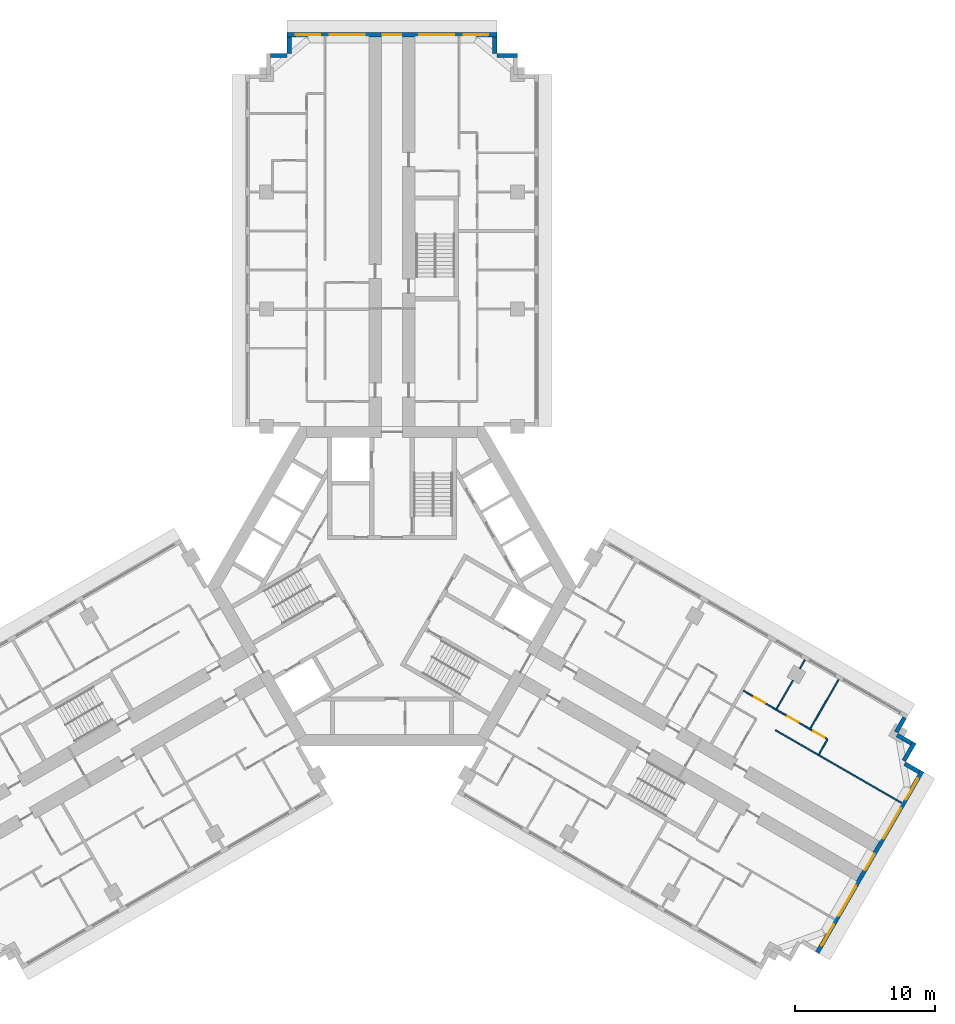
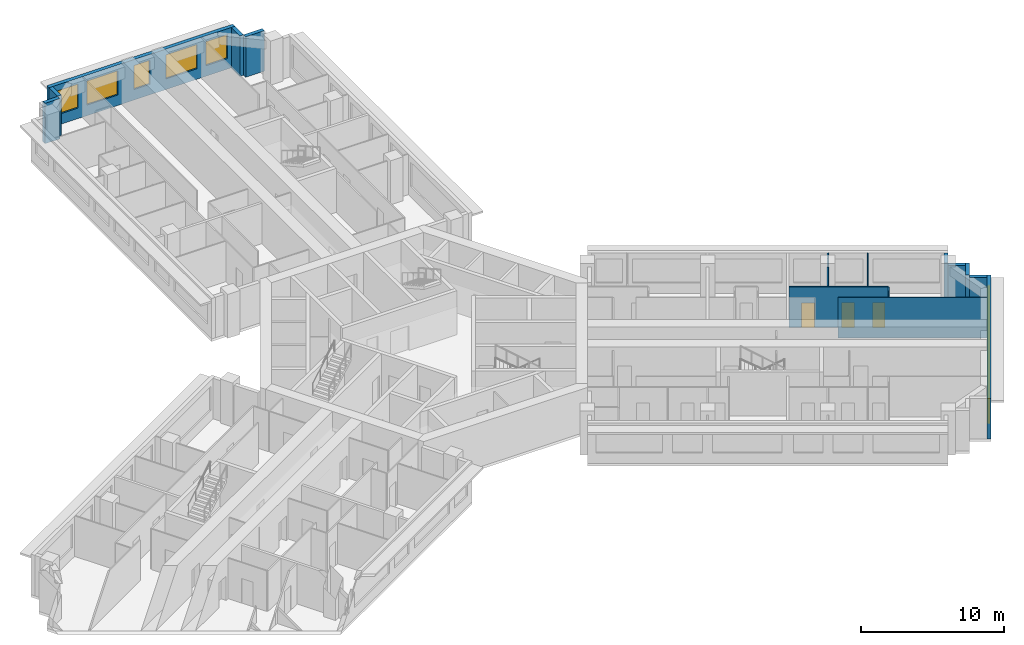
# One storey, part 10 of 12: 16 walls, 10 windows, 3 doors, 13 openings.
"""IFC4 building model written with IfcOpenShell, lengths in metres."""

from ifc_helpers import new_model, si_unit, direction, frame, frame_2d, origin, place, context, subcontext, project, spatial, rectangle, extrude, material, layer, layer_set, type_object, element, fill, save


model = new_model("IFC4")

# Units and contexts
model_context = context("Model", 3, precision=1e-05, world=origin(), true_north=direction((0.0, 1.0)))
body_context = subcontext(model_context, "Body", "Model", "MODEL_VIEW")
ifc_project = project(units=[si_unit("LENGTHUNIT", "METRE"), si_unit("AREAUNIT", "SQUARE_METRE"), si_unit("VOLUMEUNIT", "CUBIC_METRE"), si_unit("PLANEANGLEUNIT", "RADIAN"), si_unit("MASSUNIT", "GRAM", prefix="KILO")], contexts=[model_context])

# Site, building, storey
site_placement = place(None, origin())
site = spatial("IfcSite", under=ifc_project, at=site_placement, CompositionType="ELEMENT")
building_placement = place(site_placement, origin())
building = spatial("IfcBuilding", under=site, at=building_placement, Name="Impinga Residences", CompositionType="ELEMENT")
storey_placement = place(building_placement, frame((0.0, 0.0, 177.25)))
storey = spatial("IfcBuildingStorey", under=building, at=storey_placement, Name="L44", CompositionType="ELEMENT", Elevation=177.25)

# Walls
ifc_material_1 = material(Name="Terracotta rainscreen on blockwork", Category="masonry")
ifc_layer_1 = layer(ifc_material_1, 0.300048828125)
ifc_layer_set_1 = layer_set([ifc_layer_1], Name="EW1 external wall, terracotta rainscreen on blockwork 300")
wall_type_1 = type_object("IfcWallType", Name="EW1 external wall, terracotta rainscreen on blockwork 300", PredefinedType="SOLIDWALL", material=ifc_layer_set_1)
wall_1_placement = place(storey_placement, frame((-8.699951171875, 37.9814453125, 0.0), z_axis=(0.0, 0.0, 1.0), x_axis=(1.0, 0.0, 0.0)))
element("IfcWall", 1, at=wall_1_placement, inside=storey, type_object=wall_type_1, Name="External wall EW1 L44", PredefinedType="SOLIDWALL", context=body_context, shape_type="SweptSolid", body=[
    extrude(rectangle(XDim=1.199951171875, YDim=0.300048828125, at=frame_2d((0.60009765625, 0.0))), origin(), (0.0, 0.0, 1.0), 3.449951171875),
])
wall_2_placement = place(storey_placement, frame((-7.35009765625, 38.136474609375, 0.0), z_axis=(0.0, 0.0, 1.0), x_axis=(0.0, 1.0, 0.0)))
element("IfcWall", 2, at=wall_2_placement, inside=storey, type_object=wall_type_1, Name="External wall EW1 L44", PredefinedType="SOLIDWALL", context=body_context, shape_type="SweptSolid", body=[
    extrude(rectangle(XDim=1.195068359375, YDim=0.300048828125, at=frame_2d((0.59765625, 0.0))), origin(), (0.0, 0.0, 1.0), 3.449951171875),
])

# Wall, openings, windows
wall_3_placement = place(storey_placement, frame((-7.5, 39.4814453125, 0.0), z_axis=(0.0, 0.0, 1.0), x_axis=(1.0, 0.0, 0.0)))
wall_3 = element("IfcWall", 3, at=wall_3_placement, inside=storey, type_object=wall_type_1, Name="External wall EW1 L44", PredefinedType="SOLIDWALL", context=body_context, shape_type="SweptSolid", body=[
    extrude(rectangle(XDim=15.0, YDim=0.300048828125, at=frame_2d((7.5, 0.0))), origin(), (0.0, 0.0, 1.0), 3.449951171875),
])
opening_1_placement = place(wall_3_placement, frame((0.60009765625, 0.0, 0.89990234375)))
opening_1 = element("IfcOpeningElement", 4, at=opening_1_placement, cuts=wall_3, Name="Opening W1", PredefinedType="OPENING", context=body_context, shape_type="SweptSolid", body=[
    extrude(rectangle(XDim=1.75, YDim=2.050048828125, at=frame_2d((0.875, 1.02490234375))), frame((0.0, 0.159912109375, 0.0), z_axis=(0.0, -1.0, 0.0), x_axis=(1.0, 0.0, 0.0)), (0.0, 0.0, 1.0), 0.320068359375),
])
opening_2_placement = place(wall_3_placement, frame((3.050048828125, 0.0, 0.89990234375)))
opening_2 = element("IfcOpeningElement", 5, at=opening_2_placement, cuts=wall_3, Name="Opening W2", PredefinedType="OPENING", context=body_context, shape_type="SweptSolid", body=[
    extrude(rectangle(XDim=2.5, YDim=2.050048828125, at=frame_2d((1.25, 1.02490234375))), frame((0.0, 0.159912109375, 0.0), z_axis=(0.0, -1.0, 0.0), x_axis=(1.0, 0.0, 0.0)), (0.0, 0.0, 1.0), 0.320068359375),
])
opening_3_placement = place(wall_3_placement, frame((6.85009765625, 0.0, 0.89990234375)))
opening_3 = element("IfcOpeningElement", 6, at=opening_3_placement, cuts=wall_3, Name="Opening WE1", PredefinedType="OPENING", context=body_context, shape_type="SweptSolid", body=[
    extrude(rectangle(XDim=1.300048828125, YDim=2.050048828125, at=frame_2d((0.64990234375, 1.02490234375))), frame((0.0, 0.159912109375, 0.0), z_axis=(0.0, -1.0, 0.0), x_axis=(1.0, 0.0, 0.0)), (0.0, 0.0, 1.0), 0.320068359375),
])
opening_4_placement = place(wall_3_placement, frame((9.449951171875, 0.0, 0.89990234375)))
opening_4 = element("IfcOpeningElement", 7, at=opening_4_placement, cuts=wall_3, Name="Opening W2", PredefinedType="OPENING", context=body_context, shape_type="SweptSolid", body=[
    extrude(rectangle(XDim=2.5, YDim=2.050048828125, at=frame_2d((1.25, 1.02490234375))), frame((0.0, 0.159912109375, 0.0), z_axis=(0.0, -1.0, 0.0), x_axis=(1.0, 0.0, 0.0)), (0.0, 0.0, 1.0), 0.320068359375),
])
opening_5_placement = place(wall_3_placement, frame((12.64990234375, 0.0, 0.89990234375)))
opening_5 = element("IfcOpeningElement", 8, at=opening_5_placement, cuts=wall_3, Name="Opening W1", PredefinedType="OPENING", context=body_context, shape_type="SweptSolid", body=[
    extrude(rectangle(XDim=1.75, YDim=2.050048828125, at=frame_2d((0.875, 1.02490234375))), frame((0.0, 0.159912109375, 0.0), z_axis=(0.0, -1.0, 0.0), x_axis=(1.0, 0.0, 0.0)), (0.0, 0.0, 1.0), 0.320068359375),
])
ifc_material_2 = material(Name="Aluminium window, clear double glazing", Category="aluminium")
window_type_1 = type_object("IfcWindowType", Name="W1 ribbon window 1750x2050", PartitioningType="SINGLE_PANEL", PredefinedType="WINDOW", material=ifc_material_2)
window_1_placement = place(opening_1_placement, origin())
window_1 = element("IfcWindow", 9, at=window_1_placement, inside=storey, type_object=window_type_1, Name="Window L44", OverallHeight=2.050048828125, OverallWidth=1.75, PartitioningType="SINGLE_PANEL", PredefinedType="WINDOW", context=body_context, shape_type="SweptSolid", body=[
    extrude(rectangle(XDim=1.75, YDim=2.050048828125, at=frame_2d((0.875, 1.02490234375))), frame((0.0, 0.030029296875, 0.0), z_axis=(0.0, -1.0, 0.0), x_axis=(1.0, 0.0, 0.0)), (0.0, 0.0, 1.0), 0.06005859375),
])
fill(opening_1, window_1)
window_2_placement = place(opening_5_placement, origin())
window_2 = element("IfcWindow", 10, at=window_2_placement, inside=storey, type_object=window_type_1, Name="Window L44", OverallHeight=2.050048828125, OverallWidth=1.75, PartitioningType="SINGLE_PANEL", PredefinedType="WINDOW", context=body_context, shape_type="SweptSolid", body=[
    extrude(rectangle(XDim=1.75, YDim=2.050048828125, at=frame_2d((0.875, 1.02490234375))), frame((0.0, 0.030029296875, 0.0), z_axis=(0.0, -1.0, 0.0), x_axis=(1.0, 0.0, 0.0)), (0.0, 0.0, 1.0), 0.06005859375),
])
fill(opening_5, window_2)
window_type_2 = type_object("IfcWindowType", Name="W2 ribbon window 2500x2050", PartitioningType="SINGLE_PANEL", PredefinedType="WINDOW", material=ifc_material_2)
window_3_placement = place(opening_2_placement, origin())
window_3 = element("IfcWindow", 11, at=window_3_placement, inside=storey, type_object=window_type_2, Name="Window L44", OverallHeight=2.050048828125, OverallWidth=2.5, PartitioningType="SINGLE_PANEL", PredefinedType="WINDOW", context=body_context, shape_type="SweptSolid", body=[
    extrude(rectangle(XDim=2.5, YDim=2.050048828125, at=frame_2d((1.25, 1.02490234375))), frame((0.0, 0.030029296875, 0.0), z_axis=(0.0, -1.0, 0.0), x_axis=(1.0, 0.0, 0.0)), (0.0, 0.0, 1.0), 0.06005859375),
])
fill(opening_2, window_3)
window_4_placement = place(opening_4_placement, origin())
window_4 = element("IfcWindow", 12, at=window_4_placement, inside=storey, type_object=window_type_2, Name="Window L44", OverallHeight=2.050048828125, OverallWidth=2.5, PartitioningType="SINGLE_PANEL", PredefinedType="WINDOW", context=body_context, shape_type="SweptSolid", body=[
    extrude(rectangle(XDim=2.5, YDim=2.050048828125, at=frame_2d((1.25, 1.02490234375))), frame((0.0, 0.030029296875, 0.0), z_axis=(0.0, -1.0, 0.0), x_axis=(1.0, 0.0, 0.0)), (0.0, 0.0, 1.0), 0.06005859375),
])
fill(opening_4, window_4)
window_type_3 = type_object("IfcWindowType", Name="WE1 corridor window 1300x2050", PartitioningType="SINGLE_PANEL", PredefinedType="WINDOW", material=ifc_material_2)
window_5_placement = place(opening_3_placement, origin())
window_5 = element("IfcWindow", 13, at=window_5_placement, inside=storey, type_object=window_type_3, Name="Window L44", OverallHeight=2.050048828125, OverallWidth=1.300048828125, PartitioningType="SINGLE_PANEL", PredefinedType="WINDOW", context=body_context, shape_type="SweptSolid", body=[
    extrude(rectangle(XDim=1.300048828125, YDim=2.050048828125, at=frame_2d((0.64990234375, 1.02490234375))), frame((0.0, 0.030029296875, 0.0), z_axis=(0.0, -1.0, 0.0), x_axis=(1.0, 0.0, 0.0)), (0.0, 0.0, 1.0), 0.06005859375),
])
fill(opening_3, window_5)

# Walls
wall_4_placement = place(storey_placement, frame((7.35009765625, 39.33154296875, 0.0), z_axis=(0.0, 0.0, 1.0), x_axis=(0.0, -1.0, 0.0)))
element("IfcWall", 14, at=wall_4_placement, inside=storey, type_object=wall_type_1, Name="External wall EW1 L44", PredefinedType="SOLIDWALL", context=body_context, shape_type="SweptSolid", body=[
    extrude(rectangle(XDim=1.195068359375, YDim=0.300048828125, at=frame_2d((0.59765625, 0.0))), origin(), (0.0, 0.0, 1.0), 3.449951171875),
])
wall_5_placement = place(storey_placement, frame((7.5, 37.9814453125, 0.0), z_axis=(0.0, 0.0, 1.0), x_axis=(1.0, 0.0, 0.0)))
element("IfcWall", 15, at=wall_5_placement, inside=storey, type_object=wall_type_1, Name="External wall EW1 L44", PredefinedType="SOLIDWALL", context=body_context, shape_type="SweptSolid", body=[
    extrude(rectangle(XDim=1.5, YDim=0.300048828125, at=frame_2d((0.75, 0.0))), origin(), (0.0, 0.0, 1.0), 3.449951171875),
])
wall_6_placement = place(storey_placement, frame((36.69384765625, -9.4072265625, 0.0), z_axis=(0.0, 0.0, 1.0), x_axis=(-0.499880961361, -0.866094119867, 0.0)))
element("IfcWall", 16, at=wall_6_placement, inside=storey, type_object=wall_type_1, Name="External wall EW1 L44", PredefinedType="SOLIDWALL", context=body_context, shape_type="SweptSolid", body=[
    extrude(rectangle(XDim=1.199951171875, YDim=0.300048828125, at=frame_2d((0.60009765625, 0.0))), origin(), (0.0, 0.0, 1.0), 3.449951171875),
])
wall_7_placement = place(storey_placement, frame((36.153076171875, -10.654052734375, 0.0), z_axis=(0.0, 0.0, 1.0), x_axis=(0.866059708757, -0.499940577336, 0.0)))
element("IfcWall", 17, at=wall_7_placement, inside=storey, type_object=wall_type_1, Name="External wall EW1 L44", PredefinedType="SOLIDWALL", context=body_context, shape_type="SweptSolid", body=[
    extrude(rectangle(XDim=1.195068359375, YDim=0.300048828125, at=frame_2d((0.59765625, 0.0))), origin(), (0.0, 0.0, 1.0), 3.449951171875),
])
wall_8_placement = place(storey_placement, frame((37.39306640625, -11.196533203125, 0.0), z_axis=(0.0, 0.0, 1.0), x_axis=(-0.499990139034, -0.866031096941, 0.0)))
element("IfcWall", 18, at=wall_8_placement, inside=storey, type_object=wall_type_1, Name="External wall EW1 L44", PredefinedType="SOLIDWALL", context=body_context, shape_type="SweptSolid", body=[
    extrude(rectangle(XDim=1.5, YDim=0.300048828125, at=frame_2d((0.75, 0.0))), origin(), (0.0, 0.0, 1.0), 3.449951171875),
])
wall_9_placement = place(storey_placement, frame((36.7021484375, -12.702880859375, 0.0), z_axis=(0.0, 0.0, 1.0), x_axis=(0.865971243484, -0.500093796661, 0.0)))
element("IfcWall", 19, at=wall_9_placement, inside=storey, type_object=wall_type_1, Name="External wall EW1 L44", PredefinedType="SOLIDWALL", context=body_context, shape_type="SweptSolid", body=[
    extrude(rectangle(XDim=1.195068359375, YDim=0.300048828125, at=frame_2d((0.59765625, 0.0))), origin(), (0.0, 0.0, 1.0), 3.449951171875),
])

# Wall, openings, windows
wall_10_placement = place(storey_placement, frame((37.94189453125, -13.24560546875, 0.0), z_axis=(0.0, 0.0, 1.0), x_axis=(-0.500004234368, -0.866022959057, 0.0)))
wall_10 = element("IfcWall", 20, at=wall_10_placement, inside=storey, type_object=wall_type_1, Name="External wall EW1 L44", PredefinedType="SOLIDWALL", context=body_context, shape_type="SweptSolid", body=[
    extrude(rectangle(XDim=14.999755859375, YDim=0.300048828125, at=frame_2d((7.5, 0.0))), origin(), (0.0, 0.0, 1.0), 3.449951171875),
])
opening_6_placement = place(wall_10_placement, frame((0.60009765625, 0.0, 0.89990234375)))
opening_6 = element("IfcOpeningElement", 21, at=opening_6_placement, cuts=wall_10, Name="Opening W1", PredefinedType="OPENING", context=body_context, shape_type="SweptSolid", body=[
    extrude(rectangle(XDim=1.75, YDim=2.050048828125, at=frame_2d((0.875, 1.02490234375))), frame((0.0, 0.159912109375, 0.0), z_axis=(0.0, -1.0, 0.0), x_axis=(1.0, 0.0, 0.0)), (0.0, 0.0, 1.0), 0.320068359375),
])
opening_7_placement = place(wall_10_placement, frame((3.050048828125, 0.0, 0.89990234375)))
opening_7 = element("IfcOpeningElement", 22, at=opening_7_placement, cuts=wall_10, Name="Opening W2", PredefinedType="OPENING", context=body_context, shape_type="SweptSolid", body=[
    extrude(rectangle(XDim=2.5, YDim=2.050048828125, at=frame_2d((1.25, 1.02490234375))), frame((0.0, 0.159912109375, 0.0), z_axis=(0.0, -1.0, 0.0), x_axis=(1.0, 0.0, 0.0)), (0.0, 0.0, 1.0), 0.320068359375),
])
opening_8_placement = place(wall_10_placement, frame((6.85009765625, 0.0, 0.89990234375)))
opening_8 = element("IfcOpeningElement", 23, at=opening_8_placement, cuts=wall_10, Name="Opening W17", PredefinedType="OPENING", context=body_context, shape_type="SweptSolid", body=[
    extrude(rectangle(XDim=1.300048828125, YDim=2.050048828125, at=frame_2d((0.64990234375, 1.02490234375))), frame((0.0, 0.159912109375, 0.0), z_axis=(0.0, -1.0, 0.0), x_axis=(1.0, 0.0, 0.0)), (0.0, 0.0, 1.0), 0.320068359375),
])
opening_9_placement = place(wall_10_placement, frame((9.449951171875, 0.0, 0.89990234375)))
opening_9 = element("IfcOpeningElement", 24, at=opening_9_placement, cuts=wall_10, Name="Opening W2", PredefinedType="OPENING", context=body_context, shape_type="SweptSolid", body=[
    extrude(rectangle(XDim=2.5, YDim=2.050048828125, at=frame_2d((1.25, 1.02490234375))), frame((0.0, 0.159912109375, 0.0), z_axis=(0.0, -1.0, 0.0), x_axis=(1.0, 0.0, 0.0)), (0.0, 0.0, 1.0), 0.320068359375),
])
opening_10_placement = place(wall_10_placement, frame((12.64990234375, 0.0, 0.89990234375)))
opening_10 = element("IfcOpeningElement", 25, at=opening_10_placement, cuts=wall_10, Name="Opening W1", PredefinedType="OPENING", context=body_context, shape_type="SweptSolid", body=[
    extrude(rectangle(XDim=1.75, YDim=2.050048828125, at=frame_2d((0.875, 1.02490234375))), frame((0.0, 0.159912109375, 0.0), z_axis=(0.0, -1.0, 0.0), x_axis=(1.0, 0.0, 0.0)), (0.0, 0.0, 1.0), 0.320068359375),
])
window_6_placement = place(opening_6_placement, origin())
window_6 = element("IfcWindow", 26, at=window_6_placement, inside=storey, type_object=window_type_1, Name="Window L44", OverallHeight=2.050048828125, OverallWidth=1.75, PartitioningType="SINGLE_PANEL", PredefinedType="WINDOW", context=body_context, shape_type="SweptSolid", body=[
    extrude(rectangle(XDim=1.75, YDim=2.050048828125, at=frame_2d((0.875, 1.02490234375))), frame((0.0, 0.030029296875, 0.0), z_axis=(0.0, -1.0, 0.0), x_axis=(1.0, 0.0, 0.0)), (0.0, 0.0, 1.0), 0.06005859375),
])
fill(opening_6, window_6)
window_7_placement = place(opening_10_placement, origin())
window_7 = element("IfcWindow", 27, at=window_7_placement, inside=storey, type_object=window_type_1, Name="Window L44", OverallHeight=2.050048828125, OverallWidth=1.75, PartitioningType="SINGLE_PANEL", PredefinedType="WINDOW", context=body_context, shape_type="SweptSolid", body=[
    extrude(rectangle(XDim=1.75, YDim=2.050048828125, at=frame_2d((0.875, 1.02490234375))), frame((0.0, 0.030029296875, 0.0), z_axis=(0.0, -1.0, 0.0), x_axis=(1.0, 0.0, 0.0)), (0.0, 0.0, 1.0), 0.06005859375),
])
fill(opening_10, window_7)
window_type_4 = type_object("IfcWindowType", Name="W17 ribbon window 1300x2050", PartitioningType="SINGLE_PANEL", PredefinedType="WINDOW", material=ifc_material_2)
window_8_placement = place(opening_8_placement, origin())
window_8 = element("IfcWindow", 28, at=window_8_placement, inside=storey, type_object=window_type_4, Name="Window L44", OverallHeight=2.050048828125, OverallWidth=1.300048828125, PartitioningType="SINGLE_PANEL", PredefinedType="WINDOW", context=body_context, shape_type="SweptSolid", body=[
    extrude(rectangle(XDim=1.300048828125, YDim=2.050048828125, at=frame_2d((0.64990234375, 1.02490234375))), frame((0.0, 0.030029296875, 0.0), z_axis=(0.0, -1.0, 0.0), x_axis=(1.0, 0.0, 0.0)), (0.0, 0.0, 1.0), 0.06005859375),
])
fill(opening_8, window_8)
window_9_placement = place(opening_7_placement, origin())
window_9 = element("IfcWindow", 29, at=window_9_placement, inside=storey, type_object=window_type_2, Name="Window L44", OverallHeight=2.050048828125, OverallWidth=2.5, PartitioningType="SINGLE_PANEL", PredefinedType="WINDOW", context=body_context, shape_type="SweptSolid", body=[
    extrude(rectangle(XDim=2.5, YDim=2.050048828125, at=frame_2d((1.25, 1.02490234375))), frame((0.0, 0.030029296875, 0.0), z_axis=(0.0, -1.0, 0.0), x_axis=(1.0, 0.0, 0.0)), (0.0, 0.0, 1.0), 0.06005859375),
])
fill(opening_7, window_9)
window_10_placement = place(opening_9_placement, origin())
window_10 = element("IfcWindow", 30, at=window_10_placement, inside=storey, type_object=window_type_2, Name="Window L44", OverallHeight=2.050048828125, OverallWidth=2.5, PartitioningType="SINGLE_PANEL", PredefinedType="WINDOW", context=body_context, shape_type="SweptSolid", body=[
    extrude(rectangle(XDim=2.5, YDim=2.050048828125, at=frame_2d((1.25, 1.02490234375))), frame((0.0, 0.030029296875, 0.0), z_axis=(0.0, -1.0, 0.0), x_axis=(1.0, 0.0, 0.0)), (0.0, 0.0, 1.0), 0.06005859375),
])
fill(opening_9, window_10)

# Wall
ifc_material_3 = material(Name="Gypsum board on steel studs", Category="steel")
ifc_layer_2 = layer(ifc_material_3, 0.10009765625)
ifc_layer_set_2 = layer_set([ifc_layer_2], Name="Gypsum board on steel studs")
wall_type_2 = type_object("IfcWallType", Name="IP1 partition 100", PredefinedType="PARTITIONING", material=ifc_layer_set_2)
wall_11_placement = place(storey_placement, frame((27.45556640625, -10.308837890625, 0.0), z_axis=(0.0, 0.0, 1.0), x_axis=(0.866025696342, -0.499999493275, 0.0)))
element("IfcWall", 31, at=wall_11_placement, inside=storey, type_object=wall_type_2, Name="Partition L44-EA3:DIV1", PredefinedType="PARTITIONING", context=body_context, shape_type="SweptSolid", body=[
    extrude(rectangle(XDim=10.39990234375, YDim=0.10009765625, at=frame_2d((5.199951171875, 0.0))), origin(), (0.0, 0.0, 1.0), 3.449951171875),
])

# Wall, openings, doors
wall_12_placement = place(storey_placement, frame((25.160888671875, -7.48291015625, 0.0), z_axis=(0.0, 0.0, 1.0), x_axis=(0.866025305473, -0.500000170281, 0.0)))
wall_12 = element("IfcWall", 32, at=wall_12_placement, inside=storey, type_object=wall_type_2, Name="Partition L44-EA3:STRIP", PredefinedType="PARTITIONING", context=body_context, shape_type="SweptSolid", body=[
    extrude(rectangle(XDim=6.9501953125, YDim=0.10009765625, at=frame_2d((3.47509765625, 0.0))), origin(), (0.0, 0.0, 1.0), 3.449951171875),
])
opening_11_placement = place(wall_12_placement, frame((0.875, 0.0, 0.0)))
opening_11 = element("IfcOpeningElement", 33, at=opening_11_placement, cuts=wall_12, Name="Opening D2", PredefinedType="OPENING", context=body_context, shape_type="SweptSolid", body=[
    extrude(rectangle(XDim=0.89990234375, YDim=2.10009765625, at=frame_2d((0.449951171875, 1.050048828125))), frame((0.0, 0.06005859375, 0.0), z_axis=(0.0, -1.0, 0.0), x_axis=(1.0, 0.0, 0.0)), (0.0, 0.0, 1.0), 0.1201171875),
])
opening_12_placement = place(wall_12_placement, frame((3.64990234375, 0.0, 0.0)))
opening_12 = element("IfcOpeningElement", 34, at=opening_12_placement, cuts=wall_12, Name="Opening D2", PredefinedType="OPENING", context=body_context, shape_type="SweptSolid", body=[
    extrude(rectangle(XDim=0.89990234375, YDim=2.10009765625, at=frame_2d((0.449951171875, 1.050048828125))), frame((0.0, 0.06005859375, 0.0), z_axis=(0.0, -1.0, 0.0), x_axis=(1.0, 0.0, 0.0)), (0.0, 0.0, 1.0), 0.1201171875),
])
opening_13_placement = place(wall_12_placement, frame((5.800048828125, 0.0, 0.0)))
opening_13 = element("IfcOpeningElement", 35, at=opening_13_placement, cuts=wall_12, Name="Opening D2", PredefinedType="OPENING", context=body_context, shape_type="SweptSolid", body=[
    extrude(rectangle(XDim=0.89990234375, YDim=2.10009765625, at=frame_2d((0.449951171875, 1.050048828125))), frame((0.0, 0.06005859375, 0.0), z_axis=(0.0, -1.0, 0.0), x_axis=(1.0, 0.0, 0.0)), (0.0, 0.0, 1.0), 0.1201171875),
])
ifc_material_4 = material(Name="Timber door set", Category="wood")
door_type = type_object("IfcDoorType", Name="D2 internal door 900x2100", OperationType="SINGLE_SWING_LEFT", PredefinedType="DOOR", material=ifc_material_4)
door_1_placement = place(opening_11_placement, origin())
door_1 = element("IfcDoor", 36, at=door_1_placement, inside=storey, type_object=door_type, Name="Apartment L44-EA3 room door", OperationType="SINGLE_SWING_LEFT", OverallHeight=2.10009765625, OverallWidth=0.89990234375, PredefinedType="DOOR", context=body_context, shape_type="SweptSolid", body=[
    extrude(rectangle(XDim=0.89990234375, YDim=2.10009765625, at=frame_2d((0.449951171875, 1.050048828125))), frame((0.0, 0.02490234375, 0.0), z_axis=(0.0, -1.0, 0.0), x_axis=(1.0, 0.0, 0.0)), (0.0, 0.0, 1.0), 0.050048828125),
])
fill(opening_11, door_1)
door_2_placement = place(opening_12_placement, origin())
door_2 = element("IfcDoor", 37, at=door_2_placement, inside=storey, type_object=door_type, Name="Apartment L44-EA3 room door", OperationType="SINGLE_SWING_RIGHT", OverallHeight=2.10009765625, OverallWidth=0.89990234375, PredefinedType="DOOR", context=body_context, shape_type="SweptSolid", body=[
    extrude(rectangle(XDim=0.89990234375, YDim=2.10009765625, at=frame_2d((0.449951171875, 1.050048828125))), frame((0.0, 0.02490234375, 0.0), z_axis=(0.0, -1.0, 0.0), x_axis=(1.0, 0.0, 0.0)), (0.0, 0.0, 1.0), 0.050048828125),
])
fill(opening_12, door_2)
door_3_placement = place(opening_13_placement, origin())
door_3 = element("IfcDoor", 38, at=door_3_placement, inside=storey, type_object=door_type, Name="Apartment L44-EA3 room door", OperationType="SINGLE_SWING_RIGHT", OverallHeight=2.10009765625, OverallWidth=0.89990234375, PredefinedType="DOOR", context=body_context, shape_type="SweptSolid", body=[
    extrude(rectangle(XDim=0.89990234375, YDim=2.10009765625, at=frame_2d((0.449951171875, 1.050048828125))), frame((0.0, 0.02490234375, 0.0), z_axis=(0.0, -1.0, 0.0), x_axis=(1.0, 0.0, 0.0)), (0.0, 0.0, 1.0), 0.050048828125),
])
fill(opening_13, door_3)

# Walls
wall_13_placement = place(storey_placement, frame((30.554931640625, -12.04052734375, 0.0), z_axis=(0.0, 0.0, 1.0), x_axis=(0.499880961361, 0.866094119867, 0.0)))
element("IfcWall", 39, at=wall_13_placement, inside=storey, type_object=wall_type_2, Name="Partition L44-EA3:SE1", PredefinedType="PARTITIONING", context=body_context, shape_type="SweptSolid", body=[
    extrude(rectangle(XDim=1.199951171875, YDim=0.10009765625, at=frame_2d((0.60009765625, 0.0))), origin(), (0.0, 0.0, 1.0), 3.449951171875),
])
wall_14_placement = place(storey_placement, frame((27.524169921875, -8.789794921875, 0.0), z_axis=(0.0, 0.0, 1.0), x_axis=(0.500016218704, 0.866016039709, 0.0)))
element("IfcWall", 40, at=wall_14_placement, inside=storey, type_object=wall_type_2, Name="Partition L44-EA3:OB1", PredefinedType="PARTITIONING", context=body_context, shape_type="SweptSolid", body=[
    extrude(rectangle(XDim=2.35009765625, YDim=0.10009765625, at=frame_2d((1.175048828125, 0.0))), origin(), (0.0, 0.0, 1.0), 3.449951171875),
])
wall_15_placement = place(storey_placement, frame((29.19921875, -5.888427734375, 0.0), z_axis=(0.0, 0.0, 1.0), x_axis=(0.500114896893, 0.865959057869, 0.0)))
element("IfcWall", 41, at=wall_15_placement, inside=storey, type_object=wall_type_2, Name="Partition L44-EA3:OB1b", PredefinedType="PARTITIONING", context=body_context, shape_type="SweptSolid", body=[
    extrude(rectangle(XDim=0.699951171875, YDim=0.10009765625, at=frame_2d((0.35009765625, 0.0))), origin(), (0.0, 0.0, 1.0), 3.449951171875),
])
wall_16_placement = place(storey_placement, frame((29.94921875, -10.189697265625, 0.0), z_axis=(0.0, 0.0, 1.0), x_axis=(0.499990325971, 0.866030989016, 0.0)))
element("IfcWall", 42, at=wall_16_placement, inside=storey, type_object=wall_type_2, Name="Partition L44-EA3:OB2", PredefinedType="PARTITIONING", context=body_context, shape_type="SweptSolid", body=[
    extrude(rectangle(XDim=4.0498046875, YDim=0.10009765625, at=frame_2d((2.02490234375, 0.0))), origin(), (0.0, 0.0, 1.0), 3.449951171875),
])

save(model, "model.ifc")
